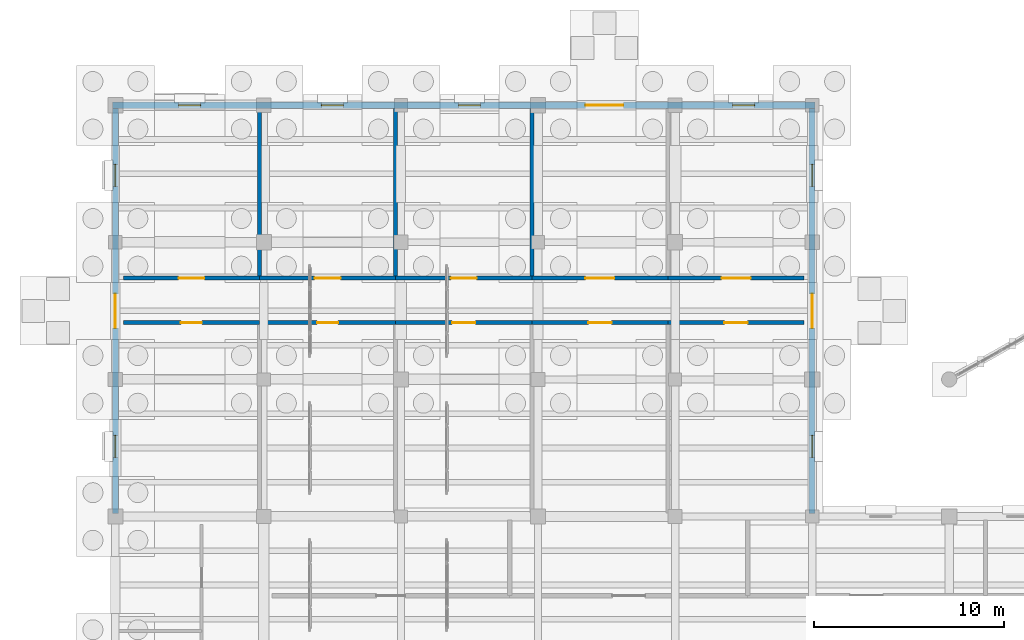
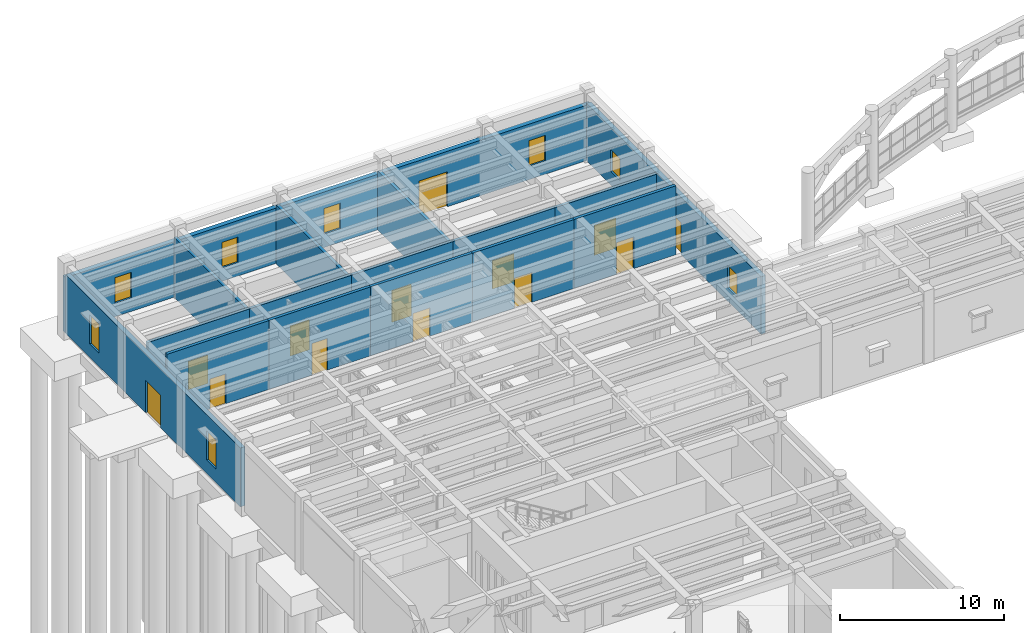
# One storey, part 76 of 100: 16 walls, 13 doors, 8 windows, 21 openings.
"""IFC4 building model written with IfcOpenShell, lengths in metres."""

from ifc_helpers import new_model, si_unit, direction, frame, frame_2d, origin, place, context, subcontext, project, spatial, rectangle, extrude, material, layer, layer_set, type_object, element, fill, save


model = new_model("IFC4")

# Units and contexts
model_context = context("Model", 3, precision=1e-05, world=origin(), true_north=direction((0.0, 1.0)))
body_context = subcontext(model_context, "Body", "Model", "MODEL_VIEW")
ifc_project = project(units=[si_unit("LENGTHUNIT", "METRE"), si_unit("AREAUNIT", "SQUARE_METRE"), si_unit("VOLUMEUNIT", "CUBIC_METRE"), si_unit("PLANEANGLEUNIT", "RADIAN"), si_unit("MASSUNIT", "GRAM", prefix="KILO")], contexts=[model_context])

# Site, building, storey
site_placement = place(None, origin())
site = spatial("IfcSite", under=ifc_project, at=site_placement, CompositionType="ELEMENT")
building_placement = place(site_placement, origin())
building = spatial("IfcBuilding", under=site, at=building_placement, Name="Mithqara Police Headquarters", CompositionType="ELEMENT")
storey_placement = place(building_placement, origin())
storey = spatial("IfcBuildingStorey", under=building, at=storey_placement, Name="L00", CompositionType="ELEMENT", Elevation=0.0)

# Wall, openings, door, windows
ifc_material_1 = material(Name="Limestone ashlar masonry, 45 MPa", Category="masonry")
ifc_layer_1 = layer(ifc_material_1, 0.320068359375, Name="Limestone ashlar masonry, 45 MPa")
ifc_layer_set_1 = layer_set([ifc_layer_1], Name="Limestone ashlar masonry, 45 MPa")
wall_type_1 = type_object("IfcWallType", Name="EXT WALL LIMESTONE320", PredefinedType="SOLIDWALL", material=ifc_layer_set_1)
wall_1_placement = place(storey_placement, frame((36.60009765625, 85.9599609375, 0.0), z_axis=(0.0, 0.0, 1.0), x_axis=(0.0, 1.0, 0.0)))
wall_1 = element("IfcWall", 1, at=wall_1_placement, inside=storey, type_object=wall_type_1, Name="L00 Exterior Wall 12.1", PredefinedType="SOLIDWALL", context=body_context, shape_type="SweptSolid", body=[
    extrude(rectangle(XDim=21.280029296875, YDim=0.320068359375, at=frame_2d((10.64013671875, 0.0))), origin(), (0.0, 0.0, 1.0), 4.27001953125),
])
opening_1_placement = place(wall_1_placement, frame((9.739990234375, 0.0, 0.0)))
opening_1 = element("IfcOpeningElement", 2, at=opening_1_placement, cuts=wall_1, Name="Opening ED-03", PredefinedType="OPENING", context=body_context, shape_type="SweptSolid", body=[
    extrude(rectangle(XDim=1.800048828125, YDim=2.39990234375, at=frame_2d((0.89990234375, 1.199951171875))), frame((0.0, 0.169921875, 0.0), z_axis=(0.0, -1.0, 0.0), x_axis=(1.0, 0.0, 0.0)), (0.0, 0.0, 1.0), 0.340087890625),
])
opening_2_placement = place(wall_1_placement, frame((2.945068359375, 0.0, 1.0)))
opening_2 = element("IfcOpeningElement", 3, at=opening_2_placement, cuts=wall_1, Name="Opening W-12", PredefinedType="OPENING", context=body_context, shape_type="SweptSolid", body=[
    extrude(rectangle(XDim=1.14990234375, YDim=1.64990234375, at=frame_2d((0.574951171875, 0.824951171875))), frame((0.0, 0.169921875, 0.0), z_axis=(0.0, -1.0, 0.0), x_axis=(1.0, 0.0, 0.0)), (0.0, 0.0, 1.0), 0.340087890625),
])
opening_3_placement = place(wall_1_placement, frame((17.18505859375, 0.0, 1.0)))
opening_3 = element("IfcOpeningElement", 4, at=opening_3_placement, cuts=wall_1, Name="Opening W-12", PredefinedType="OPENING", context=body_context, shape_type="SweptSolid", body=[
    extrude(rectangle(XDim=1.14990234375, YDim=1.64990234375, at=frame_2d((0.574951171875, 0.824951171875))), frame((0.0, 0.169921875, 0.0), z_axis=(0.0, -1.0, 0.0), x_axis=(1.0, 0.0, 0.0)), (0.0, 0.0, 1.0), 0.340087890625),
])
ifc_material_2 = material(Name="Bronze anodised aluminium 6063-T6", Category="aluminium")
door_type_1 = type_object("IfcDoorType", Name="EXT DOOR EXIT 1800X2400", OperationType="DOUBLE_DOOR_SINGLE_SWING", PredefinedType="DOOR", material=ifc_material_2)
door_1_placement = place(opening_1_placement, frame((1.800048828125, 0.0, 0.0), z_axis=(0.0, 0.0, 1.0), x_axis=(-1.0, 0.0, 0.0)))
door_1 = element("IfcDoor", 5, at=door_1_placement, inside=storey, type_object=door_type_1, Name="Ground Floor Final Exit Door 6", OperationType="DOUBLE_DOOR_SINGLE_SWING", OverallHeight=2.39990234375, OverallWidth=1.800048828125, PredefinedType="DOOR", context=body_context, shape_type="SweptSolid", body=[
    extrude(rectangle(XDim=1.800048828125, YDim=2.39990234375, at=frame_2d((0.89990234375, 1.199951171875))), frame((0.0, 0.02490234375, 0.0), z_axis=(0.0, -1.0, 0.0), x_axis=(1.0, 0.0, 0.0)), (0.0, 0.0, 1.0), 0.050048828125),
])
fill(opening_1, door_1)
ifc_material_3 = material(Name="Spectrally selective double low-e glass", Category="glass")
window_type_1 = type_object("IfcWindowType", Name="WINDOW 1150X1650", PartitioningType="SINGLE_PANEL", PredefinedType="WINDOW", material=ifc_material_3)
window_1_placement = place(opening_2_placement, origin())
window_1 = element("IfcWindow", 6, at=window_1_placement, inside=storey, type_object=window_type_1, Name="L00 Deep-Set Punched Window 12.1", OverallHeight=1.64990234375, OverallWidth=1.14990234375, PartitioningType="SINGLE_PANEL", PredefinedType="WINDOW", context=body_context, shape_type="SweptSolid", body=[
    extrude(rectangle(XDim=1.14990234375, YDim=1.64990234375, at=frame_2d((0.574951171875, 0.824951171875))), frame((0.0, 0.030029296875, 0.0), z_axis=(0.0, -1.0, 0.0), x_axis=(1.0, 0.0, 0.0)), (0.0, 0.0, 1.0), 0.06005859375),
])
fill(opening_2, window_1)
window_2_placement = place(opening_3_placement, origin())
window_2 = element("IfcWindow", 7, at=window_2_placement, inside=storey, type_object=window_type_1, Name="L00 Deep-Set Punched Window 12.3", OverallHeight=1.64990234375, OverallWidth=1.14990234375, PartitioningType="SINGLE_PANEL", PredefinedType="WINDOW", context=body_context, shape_type="SweptSolid", body=[
    extrude(rectangle(XDim=1.14990234375, YDim=1.64990234375, at=frame_2d((0.574951171875, 0.824951171875))), frame((0.0, 0.030029296875, 0.0), z_axis=(0.0, -1.0, 0.0), x_axis=(1.0, 0.0, 0.0)), (0.0, 0.0, 1.0), 0.06005859375),
])
fill(opening_3, window_2)

wall_2_placement = place(storey_placement, frame((36.760009765625, 107.39990234375, 0.0), z_axis=(0.0, 0.0, 1.0), x_axis=(-1.0, 0.0, 0.0)))
wall_2 = element("IfcWall", 8, at=wall_2_placement, inside=storey, type_object=wall_type_1, Name="L00 Exterior Wall 13.1", PredefinedType="SOLIDWALL", context=body_context, shape_type="SweptSolid", body=[
    extrude(rectangle(XDim=36.919921875, YDim=0.320068359375, at=frame_2d((18.4599609375, 0.0))), origin(), (0.0, 0.0, 1.0), 4.1201171875),
])
opening_4_placement = place(wall_2_placement, frame((10.075927734375, 0.0, 0.0)))
opening_4 = element("IfcOpeningElement", 9, at=opening_4_placement, cuts=wall_2, Name="Opening ED-02", PredefinedType="OPENING", context=body_context, shape_type="SweptSolid", body=[
    extrude(rectangle(XDim=2.0, YDim=2.60009765625, at=frame_2d((1.0, 1.300048828125))), frame((0.0, 0.169921875, 0.0), z_axis=(0.0, -1.0, 0.0), x_axis=(1.0, 0.0, 0.0)), (0.0, 0.0, 1.0), 0.340087890625),
])
opening_5_placement = place(wall_2_placement, frame((32.284912109375, 0.0, 1.0)))
opening_5 = element("IfcOpeningElement", 10, at=opening_5_placement, cuts=wall_2, Name="Opening W-13", PredefinedType="OPENING", context=body_context, shape_type="SweptSolid", body=[
    extrude(rectangle(XDim=1.14990234375, YDim=1.89990234375, at=frame_2d((0.574951171875, 0.949951171875))), frame((0.0, 0.169921875, 0.0), z_axis=(0.0, -1.0, 0.0), x_axis=(1.0, 0.0, 0.0)), (0.0, 0.0, 1.0), 0.340087890625),
])
opening_6_placement = place(wall_2_placement, frame((24.784912109375, 0.0, 1.0)))
opening_6 = element("IfcOpeningElement", 11, at=opening_6_placement, cuts=wall_2, Name="Opening W-13", PredefinedType="OPENING", context=body_context, shape_type="SweptSolid", body=[
    extrude(rectangle(XDim=1.14990234375, YDim=1.89990234375, at=frame_2d((0.574951171875, 0.949951171875))), frame((0.0, 0.169921875, 0.0), z_axis=(0.0, -1.0, 0.0), x_axis=(1.0, 0.0, 0.0)), (0.0, 0.0, 1.0), 0.340087890625),
])
opening_7_placement = place(wall_2_placement, frame((17.5849609375, 0.0, 1.0)))
opening_7 = element("IfcOpeningElement", 12, at=opening_7_placement, cuts=wall_2, Name="Opening W-13", PredefinedType="OPENING", context=body_context, shape_type="SweptSolid", body=[
    extrude(rectangle(XDim=1.14990234375, YDim=1.89990234375, at=frame_2d((0.574951171875, 0.949951171875))), frame((0.0, 0.169921875, 0.0), z_axis=(0.0, -1.0, 0.0), x_axis=(1.0, 0.0, 0.0)), (0.0, 0.0, 1.0), 0.340087890625),
])
opening_8_placement = place(wall_2_placement, frame((3.18505859375, 0.0, 1.0)))
opening_8 = element("IfcOpeningElement", 13, at=opening_8_placement, cuts=wall_2, Name="Opening W-13", PredefinedType="OPENING", context=body_context, shape_type="SweptSolid", body=[
    extrude(rectangle(XDim=1.14990234375, YDim=1.89990234375, at=frame_2d((0.574951171875, 0.949951171875))), frame((0.0, 0.169921875, 0.0), z_axis=(0.0, -1.0, 0.0), x_axis=(1.0, 0.0, 0.0)), (0.0, 0.0, 1.0), 0.340087890625),
])
door_type_2 = type_object("IfcDoorType", Name="EXT DOOR MAIN 2000X2600", OperationType="DOUBLE_DOOR_SINGLE_SWING", PredefinedType="DOOR", material=ifc_material_2)
door_2_placement = place(opening_4_placement, frame((2.0, 0.0, 0.0), z_axis=(0.0, 0.0, 1.0), x_axis=(-1.0, 0.0, 0.0)))
door_2 = element("IfcDoor", 14, at=door_2_placement, inside=storey, type_object=door_type_2, Name="Ground Floor Final Exit Door 7", OperationType="DOUBLE_DOOR_SINGLE_SWING", OverallHeight=2.60009765625, OverallWidth=2.0, PredefinedType="DOOR", context=body_context, shape_type="SweptSolid", body=[
    extrude(rectangle(XDim=2.0, YDim=2.60009765625, at=frame_2d((1.0, 1.300048828125))), frame((0.0, 0.02490234375, 0.0), z_axis=(0.0, -1.0, 0.0), x_axis=(1.0, 0.0, 0.0)), (0.0, 0.0, 1.0), 0.050048828125),
])
fill(opening_4, door_2)
window_type_2 = type_object("IfcWindowType", Name="WINDOW 1150X1900", PartitioningType="SINGLE_PANEL", PredefinedType="WINDOW", material=ifc_material_3)
window_3_placement = place(opening_5_placement, origin())
window_3 = element("IfcWindow", 15, at=window_3_placement, inside=storey, type_object=window_type_2, Name="L00 Deep-Set Punched Window 13.1", OverallHeight=1.89990234375, OverallWidth=1.14990234375, PartitioningType="SINGLE_PANEL", PredefinedType="WINDOW", context=body_context, shape_type="SweptSolid", body=[
    extrude(rectangle(XDim=1.14990234375, YDim=1.89990234375, at=frame_2d((0.574951171875, 0.949951171875))), frame((0.0, 0.030029296875, 0.0), z_axis=(0.0, -1.0, 0.0), x_axis=(1.0, 0.0, 0.0)), (0.0, 0.0, 1.0), 0.06005859375),
])
fill(opening_5, window_3)
window_4_placement = place(opening_6_placement, origin())
window_4 = element("IfcWindow", 16, at=window_4_placement, inside=storey, type_object=window_type_2, Name="L00 Deep-Set Punched Window 13.2", OverallHeight=1.89990234375, OverallWidth=1.14990234375, PartitioningType="SINGLE_PANEL", PredefinedType="WINDOW", context=body_context, shape_type="SweptSolid", body=[
    extrude(rectangle(XDim=1.14990234375, YDim=1.89990234375, at=frame_2d((0.574951171875, 0.949951171875))), frame((0.0, 0.030029296875, 0.0), z_axis=(0.0, -1.0, 0.0), x_axis=(1.0, 0.0, 0.0)), (0.0, 0.0, 1.0), 0.06005859375),
])
fill(opening_6, window_4)
window_5_placement = place(opening_7_placement, origin())
window_5 = element("IfcWindow", 17, at=window_5_placement, inside=storey, type_object=window_type_2, Name="L00 Deep-Set Punched Window 13.3", OverallHeight=1.89990234375, OverallWidth=1.14990234375, PartitioningType="SINGLE_PANEL", PredefinedType="WINDOW", context=body_context, shape_type="SweptSolid", body=[
    extrude(rectangle(XDim=1.14990234375, YDim=1.89990234375, at=frame_2d((0.574951171875, 0.949951171875))), frame((0.0, 0.030029296875, 0.0), z_axis=(0.0, -1.0, 0.0), x_axis=(1.0, 0.0, 0.0)), (0.0, 0.0, 1.0), 0.06005859375),
])
fill(opening_7, window_5)
window_6_placement = place(opening_8_placement, origin())
window_6 = element("IfcWindow", 18, at=window_6_placement, inside=storey, type_object=window_type_2, Name="L00 Deep-Set Punched Window 13.5", OverallHeight=1.89990234375, OverallWidth=1.14990234375, PartitioningType="SINGLE_PANEL", PredefinedType="WINDOW", context=body_context, shape_type="SweptSolid", body=[
    extrude(rectangle(XDim=1.14990234375, YDim=1.89990234375, at=frame_2d((0.574951171875, 0.949951171875))), frame((0.0, 0.030029296875, 0.0), z_axis=(0.0, -1.0, 0.0), x_axis=(1.0, 0.0, 0.0)), (0.0, 0.0, 1.0), 0.06005859375),
])
fill(opening_8, window_6)

wall_3_placement = place(storey_placement, frame((0.0, 107.239990234375, 0.0), z_axis=(0.0, 0.0, 1.0), x_axis=(0.0, -1.0, 0.0)))
wall_3 = element("IfcWall", 19, at=wall_3_placement, inside=storey, type_object=wall_type_1, Name="L00 Exterior Wall 14.1", PredefinedType="SOLIDWALL", context=body_context, shape_type="SweptSolid", body=[
    extrude(rectangle(XDim=21.280029296875, YDim=0.320068359375, at=frame_2d((10.64013671875, 0.0))), origin(), (0.0, 0.0, 1.0), 4.3701171875),
])
opening_9_placement = place(wall_3_placement, frame((9.739990234375, 0.0, 0.0)))
opening_9 = element("IfcOpeningElement", 20, at=opening_9_placement, cuts=wall_3, Name="Opening ED-03", PredefinedType="OPENING", context=body_context, shape_type="SweptSolid", body=[
    extrude(rectangle(XDim=1.800048828125, YDim=2.39990234375, at=frame_2d((0.89990234375, 1.199951171875))), frame((0.0, 0.169921875, 0.0), z_axis=(0.0, -1.0, 0.0), x_axis=(1.0, 0.0, 0.0)), (0.0, 0.0, 1.0), 0.340087890625),
])
opening_10_placement = place(wall_3_placement, frame((17.18505859375, 0.0, 1.0)))
opening_10 = element("IfcOpeningElement", 21, at=opening_10_placement, cuts=wall_3, Name="Opening W-14", PredefinedType="OPENING", context=body_context, shape_type="SweptSolid", body=[
    extrude(rectangle(XDim=1.14990234375, YDim=2.14990234375, at=frame_2d((0.574951171875, 1.074951171875))), frame((0.0, 0.169921875, 0.0), z_axis=(0.0, -1.0, 0.0), x_axis=(1.0, 0.0, 0.0)), (0.0, 0.0, 1.0), 0.340087890625),
])
opening_11_placement = place(wall_3_placement, frame((2.945068359375, 0.0, 1.0)))
opening_11 = element("IfcOpeningElement", 22, at=opening_11_placement, cuts=wall_3, Name="Opening W-14", PredefinedType="OPENING", context=body_context, shape_type="SweptSolid", body=[
    extrude(rectangle(XDim=1.14990234375, YDim=2.14990234375, at=frame_2d((0.574951171875, 1.074951171875))), frame((0.0, 0.169921875, 0.0), z_axis=(0.0, -1.0, 0.0), x_axis=(1.0, 0.0, 0.0)), (0.0, 0.0, 1.0), 0.340087890625),
])
door_3_placement = place(opening_9_placement, frame((1.800048828125, 0.0, 0.0), z_axis=(0.0, 0.0, 1.0), x_axis=(-1.0, 0.0, 0.0)))
door_3 = element("IfcDoor", 23, at=door_3_placement, inside=storey, type_object=door_type_1, Name="Ground Floor Final Exit Door 8", OperationType="DOUBLE_DOOR_SINGLE_SWING", OverallHeight=2.39990234375, OverallWidth=1.800048828125, PredefinedType="DOOR", context=body_context, shape_type="SweptSolid", body=[
    extrude(rectangle(XDim=1.800048828125, YDim=2.39990234375, at=frame_2d((0.89990234375, 1.199951171875))), frame((0.0, 0.02490234375, 0.0), z_axis=(0.0, -1.0, 0.0), x_axis=(1.0, 0.0, 0.0)), (0.0, 0.0, 1.0), 0.050048828125),
])
fill(opening_9, door_3)
window_type_3 = type_object("IfcWindowType", Name="WINDOW 1150X2150", PartitioningType="SINGLE_PANEL", PredefinedType="WINDOW", material=ifc_material_3)
window_7_placement = place(opening_10_placement, origin())
window_7 = element("IfcWindow", 24, at=window_7_placement, inside=storey, type_object=window_type_3, Name="L00 Deep-Set Punched Window 14.1", OverallHeight=2.14990234375, OverallWidth=1.14990234375, PartitioningType="SINGLE_PANEL", PredefinedType="WINDOW", context=body_context, shape_type="SweptSolid", body=[
    extrude(rectangle(XDim=1.14990234375, YDim=2.14990234375, at=frame_2d((0.574951171875, 1.074951171875))), frame((0.0, 0.030029296875, 0.0), z_axis=(0.0, -1.0, 0.0), x_axis=(1.0, 0.0, 0.0)), (0.0, 0.0, 1.0), 0.06005859375),
])
fill(opening_10, window_7)
window_8_placement = place(opening_11_placement, origin())
window_8 = element("IfcWindow", 25, at=window_8_placement, inside=storey, type_object=window_type_3, Name="L00 Deep-Set Punched Window 14.3", OverallHeight=2.14990234375, OverallWidth=1.14990234375, PartitioningType="SINGLE_PANEL", PredefinedType="WINDOW", context=body_context, shape_type="SweptSolid", body=[
    extrude(rectangle(XDim=1.14990234375, YDim=2.14990234375, at=frame_2d((0.574951171875, 1.074951171875))), frame((0.0, 0.030029296875, 0.0), z_axis=(0.0, -1.0, 0.0), x_axis=(1.0, 0.0, 0.0)), (0.0, 0.0, 1.0), 0.06005859375),
])
fill(opening_11, window_8)

# Wall, opening, door
ifc_material_4 = material(Name="Concrete C40/50", Category="concrete")
ifc_layer_2 = layer(ifc_material_4, 0.2099609375, Name="Concrete C40/50")
ifc_layer_set_2 = layer_set([ifc_layer_2], Name="Concrete C40/50")
wall_type_2 = type_object("IfcWallType", Name="PART WALL 210", PredefinedType="PARTITIONING", material=ifc_layer_set_2)
wall_4_placement = place(storey_placement, frame((0.419921875, 95.97998046875, 0.0), z_axis=(0.0, 0.0, 1.0), x_axis=(1.0, 0.0, 0.0)))
wall_4 = element("IfcWall", 26, at=wall_4_placement, inside=storey, type_object=wall_type_2, Name="L00 Corridor Wall Public Licensing Hall", PredefinedType="PARTITIONING", context=body_context, shape_type="SweptSolid", body=[
    extrude(rectangle(XDim=7.152099609375, YDim=0.2099609375, at=frame_2d((3.576171875, 0.0))), origin(), (0.0, 0.0, 1.0), 5.1201171875),
])
opening_12_placement = place(wall_4_placement, frame((3.02587890625, 0.0, 0.0)))
opening_12 = element("IfcOpeningElement", 27, at=opening_12_placement, cuts=wall_4, Name="Opening D-11", PredefinedType="OPENING", context=body_context, shape_type="SweptSolid", body=[
    extrude(rectangle(XDim=1.10009765625, YDim=2.219970703125, at=frame_2d((0.550048828125, 1.10986328125))), frame((0.0, 0.114990234375, 0.0), z_axis=(0.0, -1.0, 0.0), x_axis=(1.0, 0.0, 0.0)), (0.0, 0.0, 1.0), 0.22998046875),
])
ifc_material_5 = material(Name="Acoustic solid-core timber leaf", Category="wood")
door_type_3 = type_object("IfcDoorType", Name="INT DOOR 1100X2220", OperationType="NOTDEFINED", PredefinedType="DOOR", material=ifc_material_5)
door_4_placement = place(opening_12_placement, frame((1.10009765625, 0.0, 0.0), z_axis=(0.0, 0.0, 1.0), x_axis=(-1.0, 0.0, 0.0)))
door_4 = element("IfcDoor", 28, at=door_4_placement, inside=storey, type_object=door_type_3, Name="Public Licensing Hall Entry Door", OperationType="SINGLE_SWING_RIGHT", OverallHeight=2.219970703125, OverallWidth=1.10009765625, PredefinedType="DOOR", context=body_context, shape_type="SweptSolid", body=[
    extrude(rectangle(XDim=1.10009765625, YDim=2.219970703125, at=frame_2d((0.550048828125, 1.10986328125))), frame((0.0, 0.02490234375, 0.0), z_axis=(0.0, -1.0, 0.0), x_axis=(1.0, 0.0, 0.0)), (0.0, 0.0, 1.0), 0.050048828125),
])
fill(opening_12, door_4)

wall_5_placement = place(storey_placement, frame((7.572021484375, 95.97998046875, 0.0), z_axis=(0.0, 0.0, 1.0), x_axis=(1.0, 0.0, 0.0)))
wall_5 = element("IfcWall", 29, at=wall_5_placement, inside=storey, type_object=wall_type_2, Name="L00 Corridor Wall Public Cafe", PredefinedType="PARTITIONING", context=body_context, shape_type="SweptSolid", body=[
    extrude(rectangle(XDim=7.152099609375, YDim=0.2099609375, at=frame_2d((3.576171875, 0.0))), origin(), (0.0, 0.0, 1.0), 5.1201171875),
])
opening_13_placement = place(wall_5_placement, frame((3.02587890625, 0.0, 0.0)))
opening_13 = element("IfcOpeningElement", 30, at=opening_13_placement, cuts=wall_5, Name="Opening D-12", PredefinedType="OPENING", context=body_context, shape_type="SweptSolid", body=[
    extrude(rectangle(XDim=1.10009765625, YDim=2.35009765625, at=frame_2d((0.550048828125, 1.175048828125))), frame((0.0, 0.114990234375, 0.0), z_axis=(0.0, -1.0, 0.0), x_axis=(1.0, 0.0, 0.0)), (0.0, 0.0, 1.0), 0.22998046875),
])
door_type_4 = type_object("IfcDoorType", Name="INT DOOR 1100X2350", OperationType="NOTDEFINED", PredefinedType="DOOR", material=ifc_material_5)
door_5_placement = place(opening_13_placement, frame((1.10009765625, 0.0, 0.0), z_axis=(0.0, 0.0, 1.0), x_axis=(-1.0, 0.0, 0.0)))
door_5 = element("IfcDoor", 31, at=door_5_placement, inside=storey, type_object=door_type_4, Name="Public Cafe Entry Door", OperationType="SINGLE_SWING_LEFT", OverallHeight=2.35009765625, OverallWidth=1.10009765625, PredefinedType="DOOR", context=body_context, shape_type="SweptSolid", body=[
    extrude(rectangle(XDim=1.10009765625, YDim=2.35009765625, at=frame_2d((0.550048828125, 1.175048828125))), frame((0.0, 0.02490234375, 0.0), z_axis=(0.0, -1.0, 0.0), x_axis=(1.0, 0.0, 0.0)), (0.0, 0.0, 1.0), 0.050048828125),
])
fill(opening_13, door_5)

wall_6_placement = place(storey_placement, frame((14.72412109375, 95.97998046875, 0.0), z_axis=(0.0, 0.0, 1.0), x_axis=(1.0, 0.0, 0.0)))
wall_6 = element("IfcWall", 32, at=wall_6_placement, inside=storey, type_object=wall_type_2, Name="L00 Corridor Wall Community Room", PredefinedType="PARTITIONING", context=body_context, shape_type="SweptSolid", body=[
    extrude(rectangle(XDim=7.15185546875, YDim=0.2099609375, at=frame_2d((3.575927734375, 0.0))), origin(), (0.0, 0.0, 1.0), 5.1201171875),
])
opening_14_placement = place(wall_6_placement, frame((2.966064453125, 0.0, 0.0)))
opening_14 = element("IfcOpeningElement", 33, at=opening_14_placement, cuts=wall_6, Name="Opening D-13", PredefinedType="OPENING", context=body_context, shape_type="SweptSolid", body=[
    extrude(rectangle(XDim=1.219970703125, YDim=2.10009765625, at=frame_2d((0.60986328125, 1.050048828125))), frame((0.0, 0.114990234375, 0.0), z_axis=(0.0, -1.0, 0.0), x_axis=(1.0, 0.0, 0.0)), (0.0, 0.0, 1.0), 0.22998046875),
])
door_type_5 = type_object("IfcDoorType", Name="INT DOOR 1220X2100", OperationType="NOTDEFINED", PredefinedType="DOOR", material=ifc_material_5)
door_6_placement = place(opening_14_placement, frame((1.219970703125, 0.0, 0.0), z_axis=(0.0, 0.0, 1.0), x_axis=(-1.0, 0.0, 0.0)))
door_6 = element("IfcDoor", 34, at=door_6_placement, inside=storey, type_object=door_type_5, Name="Community Room Entry Door", OperationType="SINGLE_SWING_RIGHT", OverallHeight=2.10009765625, OverallWidth=1.219970703125, PredefinedType="DOOR", context=body_context, shape_type="SweptSolid", body=[
    extrude(rectangle(XDim=1.219970703125, YDim=2.10009765625, at=frame_2d((0.60986328125, 1.050048828125))), frame((0.0, 0.02490234375, 0.0), z_axis=(0.0, -1.0, 0.0), x_axis=(1.0, 0.0, 0.0)), (0.0, 0.0, 1.0), 0.050048828125),
])
fill(opening_14, door_6)

wall_7_placement = place(storey_placement, frame((21.8759765625, 95.97998046875, 0.0), z_axis=(0.0, 0.0, 1.0), x_axis=(1.0, 0.0, 0.0)))
wall_7 = element("IfcWall", 35, at=wall_7_placement, inside=storey, type_object=wall_type_2, Name="L00 Corridor Wall Citizen Assistance Room", PredefinedType="PARTITIONING", context=body_context, shape_type="SweptSolid", body=[
    extrude(rectangle(XDim=7.152099609375, YDim=0.2099609375, at=frame_2d((3.576171875, 0.0))), origin(), (0.0, 0.0, 1.0), 5.1201171875),
])
opening_15_placement = place(wall_7_placement, frame((2.966064453125, 0.0, 0.0)))
opening_15 = element("IfcOpeningElement", 36, at=opening_15_placement, cuts=wall_7, Name="Opening D-14", PredefinedType="OPENING", context=body_context, shape_type="SweptSolid", body=[
    extrude(rectangle(XDim=1.219970703125, YDim=2.219970703125, at=frame_2d((0.60986328125, 1.10986328125))), frame((0.0, 0.114990234375, 0.0), z_axis=(0.0, -1.0, 0.0), x_axis=(1.0, 0.0, 0.0)), (0.0, 0.0, 1.0), 0.22998046875),
])
door_type_6 = type_object("IfcDoorType", Name="INT DOOR 1220X2220", OperationType="NOTDEFINED", PredefinedType="DOOR", material=ifc_material_5)
door_7_placement = place(opening_15_placement, frame((1.219970703125, 0.0, 0.0), z_axis=(0.0, 0.0, 1.0), x_axis=(-1.0, 0.0, 0.0)))
door_7 = element("IfcDoor", 37, at=door_7_placement, inside=storey, type_object=door_type_6, Name="Citizen Assistance Room Entry Door", OperationType="SINGLE_SWING_LEFT", OverallHeight=2.219970703125, OverallWidth=1.219970703125, PredefinedType="DOOR", context=body_context, shape_type="SweptSolid", body=[
    extrude(rectangle(XDim=1.219970703125, YDim=2.219970703125, at=frame_2d((0.60986328125, 1.10986328125))), frame((0.0, 0.02490234375, 0.0), z_axis=(0.0, -1.0, 0.0), x_axis=(1.0, 0.0, 0.0)), (0.0, 0.0, 1.0), 0.050048828125),
])
fill(opening_15, door_7)

wall_8_placement = place(storey_placement, frame((29.028076171875, 95.97998046875, 0.0), z_axis=(0.0, 0.0, 1.0), x_axis=(1.0, 0.0, 0.0)))
wall_8 = element("IfcWall", 38, at=wall_8_placement, inside=storey, type_object=wall_type_2, Name="L00 Corridor Wall Public Licensing Hall", PredefinedType="PARTITIONING", context=body_context, shape_type="SweptSolid", body=[
    extrude(rectangle(XDim=7.15185546875, YDim=0.2099609375, at=frame_2d((3.575927734375, 0.0))), origin(), (0.0, 0.0, 1.0), 5.1201171875),
])
opening_16_placement = place(wall_8_placement, frame((2.966064453125, 0.0, 0.0)))
opening_16 = element("IfcOpeningElement", 39, at=opening_16_placement, cuts=wall_8, Name="Opening D-15", PredefinedType="OPENING", context=body_context, shape_type="SweptSolid", body=[
    extrude(rectangle(XDim=1.219970703125, YDim=2.35009765625, at=frame_2d((0.60986328125, 1.175048828125))), frame((0.0, 0.114990234375, 0.0), z_axis=(0.0, -1.0, 0.0), x_axis=(1.0, 0.0, 0.0)), (0.0, 0.0, 1.0), 0.22998046875),
])
door_type_7 = type_object("IfcDoorType", Name="INT DOOR 1220X2350", OperationType="NOTDEFINED", PredefinedType="DOOR", material=ifc_material_5)
door_8_placement = place(opening_16_placement, frame((1.219970703125, 0.0, 0.0), z_axis=(0.0, 0.0, 1.0), x_axis=(-1.0, 0.0, 0.0)))
door_8 = element("IfcDoor", 40, at=door_8_placement, inside=storey, type_object=door_type_7, Name="Public Licensing Hall Entry Door", OperationType="SINGLE_SWING_RIGHT", OverallHeight=2.35009765625, OverallWidth=1.219970703125, PredefinedType="DOOR", context=body_context, shape_type="SweptSolid", body=[
    extrude(rectangle(XDim=1.219970703125, YDim=2.35009765625, at=frame_2d((0.60986328125, 1.175048828125))), frame((0.0, 0.02490234375, 0.0), z_axis=(0.0, -1.0, 0.0), x_axis=(1.0, 0.0, 0.0)), (0.0, 0.0, 1.0), 0.050048828125),
])
fill(opening_16, door_8)

wall_9_placement = place(storey_placement, frame((0.419921875, 98.320068359375, 0.0), z_axis=(0.0, 0.0, 1.0), x_axis=(1.0, 0.0, 0.0)))
wall_9 = element("IfcWall", 41, at=wall_9_placement, inside=storey, type_object=wall_type_2, Name="L00 Corridor Wall Public Cafe", PredefinedType="PARTITIONING", context=body_context, shape_type="SweptSolid", body=[
    extrude(rectangle(XDim=7.152099609375, YDim=0.2099609375, at=frame_2d((3.576171875, 0.0))), origin(), (0.0, 0.0, 1.0), 4.570068359375),
])
opening_17_placement = place(wall_9_placement, frame((2.89599609375, 0.0, 0.0)))
opening_17 = element("IfcOpeningElement", 42, at=opening_17_placement, cuts=wall_9, Name="Opening D-16", PredefinedType="OPENING", context=body_context, shape_type="SweptSolid", body=[
    extrude(rectangle(XDim=1.360107421875, YDim=2.10009765625, at=frame_2d((0.68017578125, 1.050048828125))), frame((0.0, 0.114990234375, 0.0), z_axis=(0.0, -1.0, 0.0), x_axis=(1.0, 0.0, 0.0)), (0.0, 0.0, 1.0), 0.22998046875),
])
door_type_8 = type_object("IfcDoorType", Name="INT DOOR 1360X2100", OperationType="NOTDEFINED", PredefinedType="DOOR", material=ifc_material_2)
door_9_placement = place(opening_17_placement, origin())
door_9 = element("IfcDoor", 43, at=door_9_placement, inside=storey, type_object=door_type_8, Name="Public Cafe Entry Door", OperationType="SINGLE_SWING_LEFT", OverallHeight=2.10009765625, OverallWidth=1.360107421875, PredefinedType="DOOR", context=body_context, shape_type="SweptSolid", body=[
    extrude(rectangle(XDim=1.360107421875, YDim=2.10009765625, at=frame_2d((0.68017578125, 1.050048828125))), frame((0.0, 0.02490234375, 0.0), z_axis=(0.0, -1.0, 0.0), x_axis=(1.0, 0.0, 0.0)), (0.0, 0.0, 1.0), 0.050048828125),
])
fill(opening_17, door_9)

# Wall
wall_10_placement = place(storey_placement, frame((7.572021484375, 98.320068359375, 0.0), z_axis=(0.0, 0.0, 1.0), x_axis=(0.0, 1.0, 0.0)))
element("IfcWall", 44, at=wall_10_placement, inside=storey, type_object=wall_type_2, Name="L00 Room Partition Public Cafe", PredefinedType="PARTITIONING", context=body_context, shape_type="SweptSolid", body=[
    extrude(rectangle(XDim=8.89990234375, YDim=0.2099609375, at=frame_2d((4.449951171875, 0.0))), origin(), (0.0, 0.0, 1.0), 4.469970703125),
])

# Wall, opening, door
wall_11_placement = place(storey_placement, frame((7.572021484375, 98.320068359375, 0.0), z_axis=(0.0, 0.0, 1.0), x_axis=(1.0, 0.0, 0.0)))
wall_11 = element("IfcWall", 45, at=wall_11_placement, inside=storey, type_object=wall_type_2, Name="L00 Corridor Wall Community Room", PredefinedType="PARTITIONING", context=body_context, shape_type="SweptSolid", body=[
    extrude(rectangle(XDim=7.152099609375, YDim=0.2099609375, at=frame_2d((3.576171875, 0.0))), origin(), (0.0, 0.0, 1.0), 4.570068359375),
])
opening_18_placement = place(wall_11_placement, frame((2.89599609375, 0.0, 0.0)))
opening_18 = element("IfcOpeningElement", 46, at=opening_18_placement, cuts=wall_11, Name="Opening D-17", PredefinedType="OPENING", context=body_context, shape_type="SweptSolid", body=[
    extrude(rectangle(XDim=1.360107421875, YDim=2.219970703125, at=frame_2d((0.68017578125, 1.10986328125))), frame((0.0, 0.114990234375, 0.0), z_axis=(0.0, -1.0, 0.0), x_axis=(1.0, 0.0, 0.0)), (0.0, 0.0, 1.0), 0.22998046875),
])
door_type_9 = type_object("IfcDoorType", Name="INT DOOR 1360X2220", OperationType="NOTDEFINED", PredefinedType="DOOR", material=ifc_material_2)
door_10_placement = place(opening_18_placement, origin())
door_10 = element("IfcDoor", 47, at=door_10_placement, inside=storey, type_object=door_type_9, Name="Community Room Entry Door", OperationType="SINGLE_SWING_RIGHT", OverallHeight=2.219970703125, OverallWidth=1.360107421875, PredefinedType="DOOR", context=body_context, shape_type="SweptSolid", body=[
    extrude(rectangle(XDim=1.360107421875, YDim=2.219970703125, at=frame_2d((0.68017578125, 1.10986328125))), frame((0.0, 0.02490234375, 0.0), z_axis=(0.0, -1.0, 0.0), x_axis=(1.0, 0.0, 0.0)), (0.0, 0.0, 1.0), 0.050048828125),
])
fill(opening_18, door_10)

# Wall
wall_12_placement = place(storey_placement, frame((14.72412109375, 98.320068359375, 0.0), z_axis=(0.0, 0.0, 1.0), x_axis=(0.0, 1.0, 0.0)))
element("IfcWall", 48, at=wall_12_placement, inside=storey, type_object=wall_type_2, Name="L00 Room Partition Community Room", PredefinedType="PARTITIONING", context=body_context, shape_type="SweptSolid", body=[
    extrude(rectangle(XDim=8.89990234375, YDim=0.2099609375, at=frame_2d((4.449951171875, 0.0))), origin(), (0.0, 0.0, 1.0), 4.3701171875),
])

# Wall, opening, door
wall_13_placement = place(storey_placement, frame((14.72412109375, 98.320068359375, 0.0), z_axis=(0.0, 0.0, 1.0), x_axis=(1.0, 0.0, 0.0)))
wall_13 = element("IfcWall", 49, at=wall_13_placement, inside=storey, type_object=wall_type_2, Name="L00 Corridor Wall Citizen Assistance Room", PredefinedType="PARTITIONING", context=body_context, shape_type="SweptSolid", body=[
    extrude(rectangle(XDim=7.15185546875, YDim=0.2099609375, at=frame_2d((3.575927734375, 0.0))), origin(), (0.0, 0.0, 1.0), 4.570068359375),
])
opening_19_placement = place(wall_13_placement, frame((2.89599609375, 0.0, 0.0)))
opening_19 = element("IfcOpeningElement", 50, at=opening_19_placement, cuts=wall_13, Name="Opening D-18", PredefinedType="OPENING", context=body_context, shape_type="SweptSolid", body=[
    extrude(rectangle(XDim=1.360107421875, YDim=2.35009765625, at=frame_2d((0.68017578125, 1.175048828125))), frame((0.0, 0.114990234375, 0.0), z_axis=(0.0, -1.0, 0.0), x_axis=(1.0, 0.0, 0.0)), (0.0, 0.0, 1.0), 0.22998046875),
])
door_type_10 = type_object("IfcDoorType", Name="INT DOOR 1360X2350", OperationType="NOTDEFINED", PredefinedType="DOOR", material=ifc_material_2)
door_11_placement = place(opening_19_placement, origin())
door_11 = element("IfcDoor", 51, at=door_11_placement, inside=storey, type_object=door_type_10, Name="Citizen Assistance Room Entry Door", OperationType="SINGLE_SWING_LEFT", OverallHeight=2.35009765625, OverallWidth=1.360107421875, PredefinedType="DOOR", context=body_context, shape_type="SweptSolid", body=[
    extrude(rectangle(XDim=1.360107421875, YDim=2.35009765625, at=frame_2d((0.68017578125, 1.175048828125))), frame((0.0, 0.02490234375, 0.0), z_axis=(0.0, -1.0, 0.0), x_axis=(1.0, 0.0, 0.0)), (0.0, 0.0, 1.0), 0.050048828125),
])
fill(opening_19, door_11)

# Wall
wall_14_placement = place(storey_placement, frame((21.8759765625, 98.320068359375, 0.0), z_axis=(0.0, 0.0, 1.0), x_axis=(0.0, 1.0, 0.0)))
element("IfcWall", 52, at=wall_14_placement, inside=storey, type_object=wall_type_2, Name="L00 Room Partition Citizen Assistance Room", PredefinedType="PARTITIONING", context=body_context, shape_type="SweptSolid", body=[
    extrude(rectangle(XDim=8.89990234375, YDim=0.2099609375, at=frame_2d((4.449951171875, 0.0))), origin(), (0.0, 0.0, 1.0), 4.3701171875),
])

# Wall, opening, door
wall_15_placement = place(storey_placement, frame((21.8759765625, 98.320068359375, 0.0), z_axis=(0.0, 0.0, 1.0), x_axis=(1.0, 0.0, 0.0)))
wall_15 = element("IfcWall", 53, at=wall_15_placement, inside=storey, type_object=wall_type_2, Name="L00 Corridor Wall Public Licensing Hall", PredefinedType="PARTITIONING", context=body_context, shape_type="SweptSolid", body=[
    extrude(rectangle(XDim=7.152099609375, YDim=0.2099609375, at=frame_2d((3.576171875, 0.0))), origin(), (0.0, 0.0, 1.0), 4.570068359375),
])
opening_20_placement = place(wall_15_placement, frame((2.81591796875, 0.0, 0.0)))
opening_20 = element("IfcOpeningElement", 54, at=opening_20_placement, cuts=wall_15, Name="Opening D-19", PredefinedType="OPENING", context=body_context, shape_type="SweptSolid", body=[
    extrude(rectangle(XDim=1.52001953125, YDim=2.10009765625, at=frame_2d((0.760009765625, 1.050048828125))), frame((0.0, 0.114990234375, 0.0), z_axis=(0.0, -1.0, 0.0), x_axis=(1.0, 0.0, 0.0)), (0.0, 0.0, 1.0), 0.22998046875),
])
door_type_11 = type_object("IfcDoorType", Name="INT DOOR 1520X2100", OperationType="NOTDEFINED", PredefinedType="DOOR", material=ifc_material_2)
door_12_placement = place(opening_20_placement, origin())
door_12 = element("IfcDoor", 55, at=door_12_placement, inside=storey, type_object=door_type_11, Name="Public Licensing Hall Entry Door", OperationType="DOUBLE_DOOR_SINGLE_SWING", OverallHeight=2.10009765625, OverallWidth=1.52001953125, PredefinedType="DOOR", context=body_context, shape_type="SweptSolid", body=[
    extrude(rectangle(XDim=1.52001953125, YDim=2.10009765625, at=frame_2d((0.760009765625, 1.050048828125))), frame((0.0, 0.02490234375, 0.0), z_axis=(0.0, -1.0, 0.0), x_axis=(1.0, 0.0, 0.0)), (0.0, 0.0, 1.0), 0.050048828125),
])
fill(opening_20, door_12)

wall_16_placement = place(storey_placement, frame((29.028076171875, 98.320068359375, 0.0), z_axis=(0.0, 0.0, 1.0), x_axis=(1.0, 0.0, 0.0)))
wall_16 = element("IfcWall", 56, at=wall_16_placement, inside=storey, type_object=wall_type_2, Name="L00 Corridor Wall Public Cafe", PredefinedType="PARTITIONING", context=body_context, shape_type="SweptSolid", body=[
    extrude(rectangle(XDim=7.15185546875, YDim=0.2099609375, at=frame_2d((3.575927734375, 0.0))), origin(), (0.0, 0.0, 1.0), 4.570068359375),
])
opening_21_placement = place(wall_16_placement, frame((2.81591796875, 0.0, 0.0)))
opening_21 = element("IfcOpeningElement", 57, at=opening_21_placement, cuts=wall_16, Name="Opening D-20", PredefinedType="OPENING", context=body_context, shape_type="SweptSolid", body=[
    extrude(rectangle(XDim=1.52001953125, YDim=2.219970703125, at=frame_2d((0.760009765625, 1.10986328125))), frame((0.0, 0.114990234375, 0.0), z_axis=(0.0, -1.0, 0.0), x_axis=(1.0, 0.0, 0.0)), (0.0, 0.0, 1.0), 0.22998046875),
])
door_type_12 = type_object("IfcDoorType", Name="INT DOOR 1520X2220", OperationType="NOTDEFINED", PredefinedType="DOOR", material=ifc_material_2)
door_13_placement = place(opening_21_placement, origin())
door_13 = element("IfcDoor", 58, at=door_13_placement, inside=storey, type_object=door_type_12, Name="Public Cafe Entry Door", OperationType="DOUBLE_DOOR_SINGLE_SWING", OverallHeight=2.219970703125, OverallWidth=1.52001953125, PredefinedType="DOOR", context=body_context, shape_type="SweptSolid", body=[
    extrude(rectangle(XDim=1.52001953125, YDim=2.219970703125, at=frame_2d((0.760009765625, 1.10986328125))), frame((0.0, 0.02490234375, 0.0), z_axis=(0.0, -1.0, 0.0), x_axis=(1.0, 0.0, 0.0)), (0.0, 0.0, 1.0), 0.050048828125),
])
fill(opening_21, door_13)

save(model, "model.ifc")
